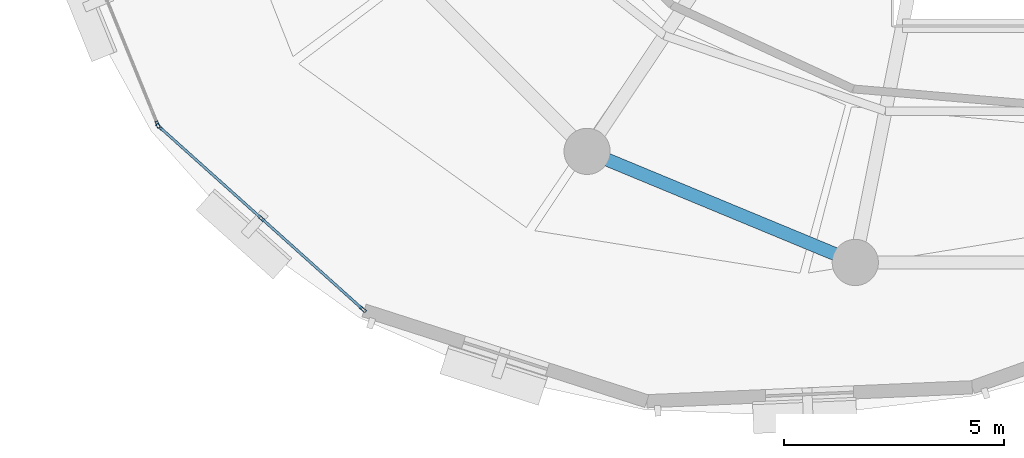
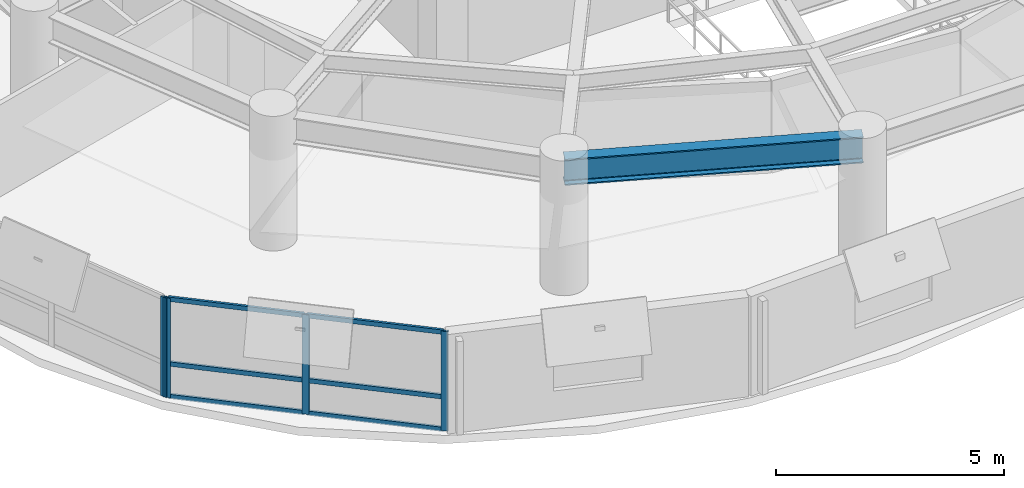
# One storey, part 2 of 11: 10 members, 1 beam, 2 elements without a shape of their own.
"""IFC4 building model written with IfcOpenShell, lengths in metres."""

from ifc_helpers import new_model, si_unit, direction, frame, origin, origin_2d, place, context, subcontext, project, spatial, hollow_rectangle, i_section, extrude, material, layer, layer_set, material_profile, profile_set, type_object, element, aggregate, save


model = new_model("IFC4")

# Units and contexts
model_context = context("Model", 3, precision=1e-05, world=origin(), true_north=direction((0.0, 1.0)))
body_context = subcontext(model_context, "Body", "Model", "MODEL_VIEW")
ifc_project = project(units=[si_unit("LENGTHUNIT", "METRE"), si_unit("AREAUNIT", "SQUARE_METRE"), si_unit("VOLUMEUNIT", "CUBIC_METRE"), si_unit("PLANEANGLEUNIT", "RADIAN"), si_unit("MASSUNIT", "GRAM", prefix="KILO"), si_unit("THERMODYNAMICTEMPERATUREUNIT", "KELVIN"), si_unit("POWERUNIT", "WATT")], contexts=[model_context])

# Site, building, storey
site_placement = place(None, origin())
site = spatial("IfcSite", under=ifc_project, at=site_placement, CompositionType="ELEMENT")
building_placement = place(site_placement, origin())
building = spatial("IfcBuilding", under=site, at=building_placement, Name="Ocrelia Relay Tower", CompositionType="ELEMENT")
storey_placement = place(building_placement, frame((0.0, 0.0, 180.800048828125)))
storey = spatial("IfcBuildingStorey", under=building, at=storey_placement, Name="L43", CompositionType="ELEMENT", Elevation=180.800048828125)

# Beam
ifc_material_1 = material(Name="Steel S355", Category="steel")
ifc_material_profile_1 = material_profile(ifc_material_1, i_section(OverallWidth=0.300048828125, OverallDepth=0.699951171875, WebThickness=0.01708984375, FlangeThickness=0.031982421875, FilletRadius=0.027099609375, at=origin_2d()), Name="HEB 700")
ifc_profile_set_1 = profile_set([ifc_material_profile_1], Name="Steel S355")
beam_type = type_object("IfcBeamType", Name="BM-HEB700", PredefinedType="BEAM", material=ifc_profile_set_1)
beam_placement = place(storey_placement, frame((24.61083984375, 11.9482421875, 3.030029296875), z_axis=(0.923877844151, -0.382687508402, 0.0), x_axis=(0.382687508402, 0.923877844151, 0.0)))
element("IfcBeam", 1, at=beam_placement, inside=storey, type_object=beam_type, Name="L43 Perimeter Spandrel Beam S11", PredefinedType="BEAM", context=body_context, shape_type="SweptSolid", body=[
    extrude(i_section(OverallWidth=0.300048828125, OverallDepth=0.699951171875, WebThickness=0.01708984375, FlangeThickness=0.031982421875, FilletRadius=0.027099609375, at=origin_2d()), origin(), (0.0, 0.0, 1.0), 6.593994140625),
])

# Curtain wall, member
ifc_material_2 = material(Name="Aluminium and solar-control low-E glass", Category="aluminium")
ifc_layer = layer(ifc_material_2, 0.179931640625, Name="Aluminium and solar-control low-E glass")
ifc_layer_set = layer_set([ifc_layer], Name="Aluminium and solar-control low-E glass")
curtain_wall_type = type_object("IfcCurtainWallType", Name="CW-SYS-Z3-CLOU", PredefinedType="NOTDEFINED", material=ifc_layer_set)
curtain_wall_1_placement = place(storey_placement, origin())
curtain_wall_1 = element("IfcCurtainWall", 2, at=curtain_wall_1_placement, inside=storey, type_object=curtain_wall_type, Name="L43 Elliptical Tower Curtain Wall Bay 09", PredefinedType="NOTDEFINED")
ifc_material_3 = material(Name="Anodised bronze aluminium", Category="aluminium")
ifc_material_profile_2 = material_profile(ifc_material_3, hollow_rectangle(XDim=0.06494140625, YDim=0.159912109375, WallThickness=0.0048828125, at=origin_2d()), Name="CW-MUL-160x65")
ifc_profile_set_2 = profile_set([ifc_material_profile_2], Name="Anodised bronze aluminium")
member_type_1 = type_object("IfcMemberType", Name="CW-SYS-Z3-CLOU-MUL", PredefinedType="MULLION", material=ifc_profile_set_2)
member_1_placement = place(storey_placement, frame((14.854736328125, 12.558349609375, 0.0), z_axis=(0.0, 0.0, 1.0), x_axis=(0.92607443822, 0.377340873582, 0.0)))
member_1 = element("IfcMember", 3, at=member_1_placement, type_object=member_type_1, Name="CW-Z3 mullion 3", PredefinedType="MULLION", context=body_context, shape_type="SweptSolid", body=[
    extrude(hollow_rectangle(XDim=0.06494140625, YDim=0.159912109375, WallThickness=0.0048828125, at=origin_2d()), origin(), (0.0, 0.0, 1.0), 2.659912109375),
])
aggregate(curtain_wall_1, [member_1])

# Curtain wall, members
curtain_wall_2_placement = place(storey_placement, origin())
curtain_wall_2 = element("IfcCurtainWall", 4, at=curtain_wall_2_placement, inside=storey, type_object=curtain_wall_type, Name="L43 Elliptical Tower Curtain Wall Bay 10", PredefinedType="NOTDEFINED")
member_2_placement = place(storey_placement, frame((14.89111328125, 12.506591796875, 0.0), z_axis=(0.0, 0.0, 1.0), x_axis=(0.66743759951, 0.744665730889, 0.0)))
member_2 = element("IfcMember", 5, at=member_2_placement, type_object=member_type_1, Name="CW-Z3 mullion 1", PredefinedType="MULLION", context=body_context, shape_type="SweptSolid", body=[
    extrude(hollow_rectangle(XDim=0.06494140625, YDim=0.159912109375, WallThickness=0.0048828125, at=origin_2d()), origin(), (0.0, 0.0, 1.0), 2.659912109375),
])
member_3_placement = place(storey_placement, frame((17.206298828125, 10.431640625, 0.0), z_axis=(0.0, 0.0, 1.0), x_axis=(0.66743759951, 0.744665730889, 0.0)))
member_3 = element("IfcMember", 6, at=member_3_placement, type_object=member_type_1, Name="CW-Z3 mullion 2", PredefinedType="MULLION", context=body_context, shape_type="SweptSolid", body=[
    extrude(hollow_rectangle(XDim=0.06494140625, YDim=0.159912109375, WallThickness=0.0048828125, at=origin_2d()), origin(), (0.0, 0.0, 1.0), 2.659912109375),
])
member_4_placement = place(storey_placement, frame((19.521240234375, 8.356689453125, 0.0), z_axis=(0.0, 0.0, 1.0), x_axis=(0.66743759951, 0.744665730889, 0.0)))
member_4 = element("IfcMember", 7, at=member_4_placement, type_object=member_type_1, Name="CW-Z3 mullion 3", PredefinedType="MULLION", context=body_context, shape_type="SweptSolid", body=[
    extrude(hollow_rectangle(XDim=0.06494140625, YDim=0.159912109375, WallThickness=0.0048828125, at=origin_2d()), origin(), (0.0, 0.0, 1.0), 2.659912109375),
])
ifc_material_profile_3 = material_profile(ifc_material_3, hollow_rectangle(XDim=0.06005859375, YDim=0.1201171875, WallThickness=0.0048828125, at=origin_2d()), Name="CW-TRN-120x60")
ifc_profile_set_3 = profile_set([ifc_material_profile_3], Name="Anodised bronze aluminium")
member_type_2 = type_object("IfcMemberType", Name="CW-SYS-Z3-CLOU-TRN", PredefinedType="USERDEFINED", material=ifc_profile_set_3)
member_5_placement = place(storey_placement, frame((14.915283203125, 12.48486328125, 0.030029296875), z_axis=(0.744668401942, -0.667434619382, 0.0), x_axis=(0.667434619382, 0.744668401942, 0.0)))
member_5 = element("IfcMember", 8, at=member_5_placement, type_object=member_type_2, Name="CW-Z3 transom 1.1", ObjectType="TRANSOM", PredefinedType="USERDEFINED", context=body_context, shape_type="SweptSolid", body=[
    extrude(hollow_rectangle(XDim=0.06005859375, YDim=0.1201171875, WallThickness=0.0048828125, at=origin_2d()), origin(), (0.0, 0.0, 1.0), 3.044189453125),
])
member_6_placement = place(storey_placement, frame((14.915283203125, 12.48486328125, 0.89990234375), z_axis=(0.744668401942, -0.667434619382, 0.0), x_axis=(0.667434619382, 0.744668401942, 0.0)))
member_6 = element("IfcMember", 9, at=member_6_placement, type_object=member_type_2, Name="CW-Z3 transom 1.2", ObjectType="TRANSOM", PredefinedType="USERDEFINED", context=body_context, shape_type="SweptSolid", body=[
    extrude(hollow_rectangle(XDim=0.06005859375, YDim=0.1201171875, WallThickness=0.0048828125, at=origin_2d()), origin(), (0.0, 0.0, 1.0), 3.044189453125),
])
member_7_placement = place(storey_placement, frame((14.915283203125, 12.48486328125, 2.6298828125), z_axis=(0.744668401942, -0.667434619382, 0.0), x_axis=(0.667434619382, 0.744668401942, 0.0)))
member_7 = element("IfcMember", 10, at=member_7_placement, type_object=member_type_2, Name="CW-Z3 transom 1.3", ObjectType="TRANSOM", PredefinedType="USERDEFINED", context=body_context, shape_type="SweptSolid", body=[
    extrude(hollow_rectangle(XDim=0.06005859375, YDim=0.1201171875, WallThickness=0.0048828125, at=origin_2d()), origin(), (0.0, 0.0, 1.0), 3.044189453125),
])
member_8_placement = place(storey_placement, frame((17.23046875, 10.409912109375, 0.030029296875), z_axis=(0.744632671583, -0.667474482218, 0.0), x_axis=(0.667474482218, 0.744632671583, 0.0)))
member_8 = element("IfcMember", 11, at=member_8_placement, type_object=member_type_2, Name="CW-Z3 transom 2.1", ObjectType="TRANSOM", PredefinedType="USERDEFINED", context=body_context, shape_type="SweptSolid", body=[
    extrude(hollow_rectangle(XDim=0.06005859375, YDim=0.1201171875, WallThickness=0.0048828125, at=origin_2d()), origin(), (0.0, 0.0, 1.0), 3.0439453125),
])
member_9_placement = place(storey_placement, frame((17.23046875, 10.409912109375, 0.89990234375), z_axis=(0.744632671583, -0.667474482218, 0.0), x_axis=(0.667474482218, 0.744632671583, 0.0)))
member_9 = element("IfcMember", 12, at=member_9_placement, type_object=member_type_2, Name="CW-Z3 transom 2.2", ObjectType="TRANSOM", PredefinedType="USERDEFINED", context=body_context, shape_type="SweptSolid", body=[
    extrude(hollow_rectangle(XDim=0.06005859375, YDim=0.1201171875, WallThickness=0.0048828125, at=origin_2d()), origin(), (0.0, 0.0, 1.0), 3.0439453125),
])
member_10_placement = place(storey_placement, frame((17.23046875, 10.409912109375, 2.6298828125), z_axis=(0.744632671583, -0.667474482218, 0.0), x_axis=(0.667474482218, 0.744632671583, 0.0)))
member_10 = element("IfcMember", 13, at=member_10_placement, type_object=member_type_2, Name="CW-Z3 transom 2.3", ObjectType="TRANSOM", PredefinedType="USERDEFINED", context=body_context, shape_type="SweptSolid", body=[
    extrude(hollow_rectangle(XDim=0.06005859375, YDim=0.1201171875, WallThickness=0.0048828125, at=origin_2d()), origin(), (0.0, 0.0, 1.0), 3.0439453125),
])
aggregate(curtain_wall_2, [member_2, member_3, member_4, member_5, member_6, member_7, member_8, member_9, member_10])

save(model, "model.ifc")
